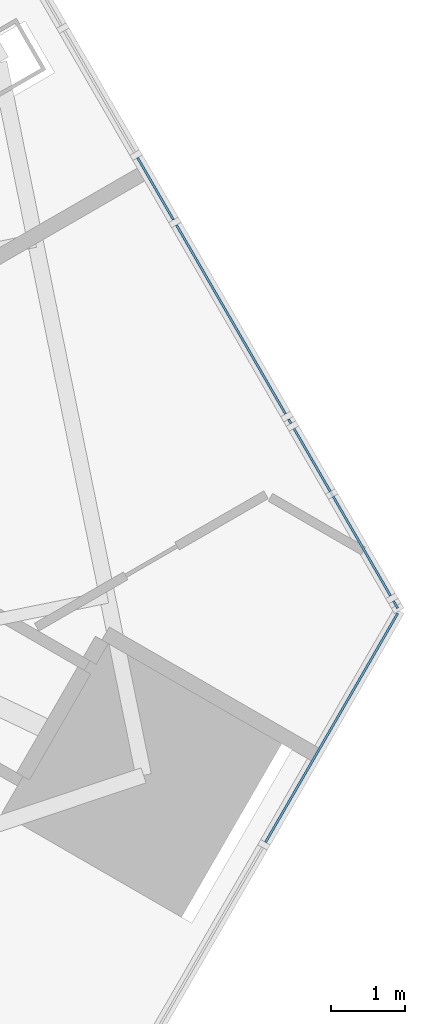
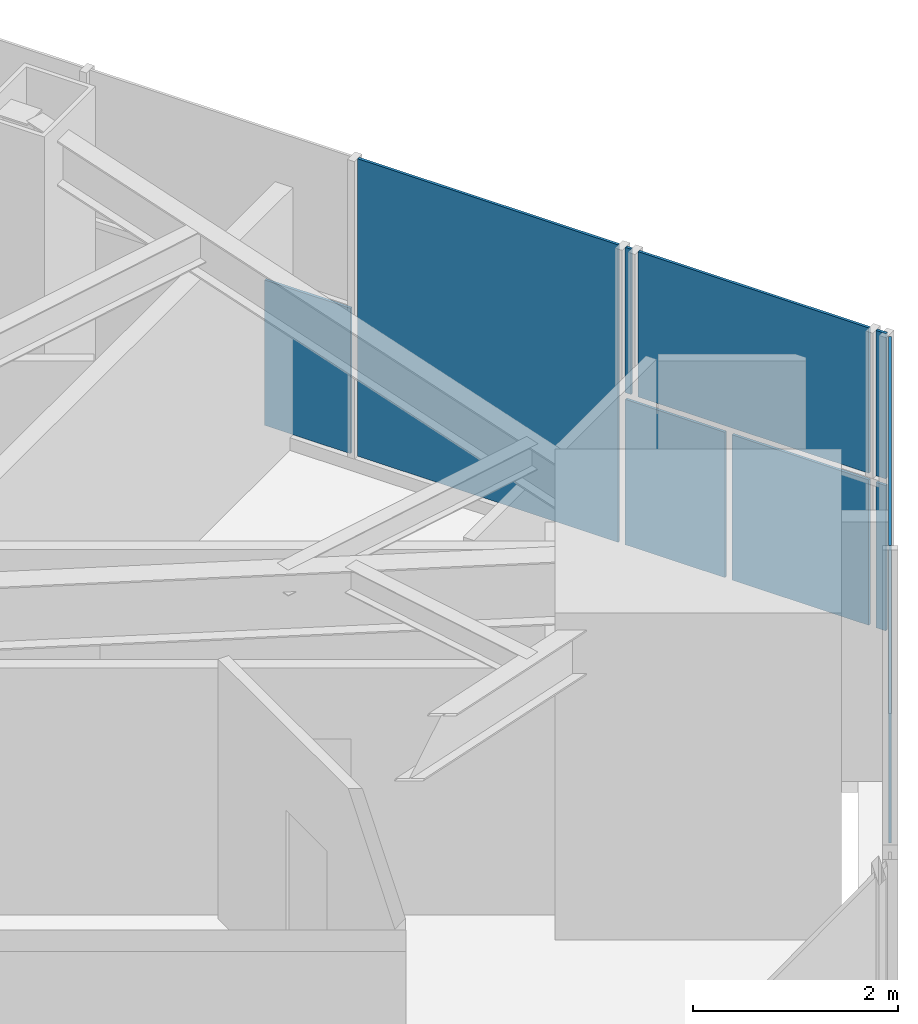
# One storey, part 19 of 35: 9 plates, 2 elements without a shape of their own.
"""IFC4 building model written with IfcOpenShell, lengths in metres."""

from ifc_helpers import new_model, si_unit, direction, frame, origin, place, context, subcontext, project, spatial, polyline, outline, extrude, material, layer, layer_set, type_object, element, aggregate, save


model = new_model("IFC4")

# Units and contexts
model_context = context("Model", 3, precision=1e-05, world=origin(), true_north=direction((0.0, 1.0)))
body_context = subcontext(model_context, "Body", "Model", "MODEL_VIEW")
ifc_project = project(units=[si_unit("LENGTHUNIT", "METRE"), si_unit("AREAUNIT", "SQUARE_METRE"), si_unit("VOLUMEUNIT", "CUBIC_METRE"), si_unit("PLANEANGLEUNIT", "RADIAN"), si_unit("MASSUNIT", "GRAM", prefix="KILO")], contexts=[model_context])

# Site, building, storey
site_placement = place(None, origin())
site = spatial("IfcSite", under=ifc_project, at=site_placement, CompositionType="ELEMENT")
building_placement = place(site_placement, origin())
building = spatial("IfcBuilding", under=site, at=building_placement, Name="Firuza Gate Tower and Library", CompositionType="ELEMENT")
storey_placement = place(building_placement, frame((0.0, 0.0, 159.699951171875)))
storey = spatial("IfcBuildingStorey", under=building, at=storey_placement, Name="L36", CompositionType="ELEMENT", Elevation=159.699951171875)

# Curtain wall, plate
ifc_material_1 = material(Name="Aluminium 6063-T6", Category="aluminium")
ifc_layer_1 = layer(ifc_material_1, 0.14990234375)
ifc_layer_set_1 = layer_set([ifc_layer_1], Name="Corner curtain wall, chamfers")
curtain_wall_type_1 = type_object("IfcCurtainWallType", Name="Corner curtain wall, chamfers", PredefinedType="NOTDEFINED", material=ifc_layer_set_1)
placement = place(storey_placement, origin())
curtain_wall_1 = element("IfcCurtainWall", 1, at=placement, inside=storey, type_object=curtain_wall_type_1, Name="CW4 L36 SE corner", PredefinedType="NOTDEFINED")
ifc_material_2 = material(Name="Fritted glass", Category="glass")
ifc_layer_2 = layer(ifc_material_2, 0.030029296875)
ifc_layer_set_2 = layer_set([ifc_layer_2], Name="Fritted glass unit, corners")
plate_type_1 = type_object("IfcPlateType", Name="Fritted glass unit, corners", PredefinedType="CURTAIN_PANEL", material=ifc_layer_set_2)
plate_1_placement = place(storey_placement, frame((104.059814453125, 58.2685546875, 0.150146484375), z_axis=(0.866016723041, -0.500015035186, 0.0), x_axis=(0.500015035186, 0.866016723041, 0.0)))
plate_1 = element("IfcPlate", 2, at=plate_1_placement, type_object=plate_type_1, Name="Glass unit", PredefinedType="CURTAIN_PANEL", context=body_context, shape_type="SweptSolid", body=[
    extrude(outline(polyline([(0.0, 0.0), (3.5633694106530625, 0.0), (3.5633694106530625, 3.5498046875), (0.0, 3.5498046875), (0.0, 0.0)])), origin(), (0.0, 0.0, -1.0), 0.030029296875),
])
aggregate(curtain_wall_1, [plate_1])

# Curtain wall, plates
ifc_material_3 = material(Name="Aluminium 6063-T6", Category="aluminium")
ifc_layer_3 = layer(ifc_material_3, 0.14990234375)
ifc_layer_set_3 = layer_set([ifc_layer_3], Name="Unitised curtain wall, hotel")
curtain_wall_type_2 = type_object("IfcCurtainWallType", Name="Unitised curtain wall, hotel", PredefinedType="NOTDEFINED", material=ifc_layer_set_3)
curtain_wall_2 = element("IfcCurtainWall", 3, at=placement, inside=storey, type_object=curtain_wall_type_2, Name="CW2 L36 E face", PredefinedType="NOTDEFINED")
ifc_material_4 = material(Name="Fritted glass", Category="glass")
ifc_layer_4 = layer(ifc_material_4, 0.030029296875)
ifc_layer_set_4 = layer_set([ifc_layer_4], Name="Fritted glass unit, hotel")
plate_type_2 = type_object("IfcPlateType", Name="Fritted glass unit, hotel", PredefinedType="CURTAIN_PANEL", material=ifc_layer_set_4)
plate_2_placement = place(storey_placement, frame((105.744873046875, 61.60595703125, 0.150146484375), z_axis=(0.86600656285, 0.500032632036, 0.0), x_axis=(-0.500032632036, 0.86600656285, 0.0)))
plate_2 = element("IfcPlate", 4, at=plate_2_placement, type_object=plate_type_2, Name="Glass unit", PredefinedType="CURTAIN_PANEL", context=body_context, shape_type="SweptSolid", body=[
    extrude(outline(polyline([(0.0, 0.0), (1.5443328043021938, 0.0), (1.5443328043021938, 1.73486328125), (0.0, 1.73486328125), (0.0, 0.0)])), origin(), (0.0, 0.0, -1.0), 0.030029296875),
])
plate_3_placement = place(storey_placement, frame((105.744873046875, 61.60595703125, 1.965087890625), z_axis=(0.866035653305, 0.499982246889, 0.0), x_axis=(-0.499982246889, 0.866035653305, 0.0)))
plate_3 = element("IfcPlate", 5, at=plate_3_placement, type_object=plate_type_2, Name="Glass unit", PredefinedType="CURTAIN_PANEL", context=body_context, shape_type="SweptSolid", body=[
    extrude(outline(polyline([(0.0, 0.0), (2.6031197706996605, 0.0), (2.6031197706996605, 1.73486328125), (0.0, 1.73486328125), (0.0, 0.0)])), origin(), (0.0, 0.0, -1.0), 0.030029296875),
])
ifc_material_5 = material(Name="Glazed ceramic tile")
ifc_layer_5 = layer(ifc_material_5, 0.030029296875)
ifc_layer_set_5 = layer_set([ifc_layer_5], Name="Opaque ceramic panel, hotel")
plate_type_3 = type_object("IfcPlateType", Name="Opaque ceramic panel, hotel", PredefinedType="CURTAIN_PANEL", material=ifc_layer_set_5)
plate_4_placement = place(storey_placement, frame((105.841552734375, 61.438720703125, 0.150146484375), z_axis=(0.865574031608, 0.500780985868, 0.0), x_axis=(-0.500780985868, 0.865574031608, 0.0)))
plate_4 = element("IfcPlate", 6, at=plate_4_placement, type_object=plate_type_3, Name="Opaque ceramic panel", PredefinedType="CURTAIN_PANEL", context=body_context, shape_type="SweptSolid", body=[
    extrude(outline(polyline([(0.0, 0.0), (0.11310458383689945, 0.0), (0.11310458383689945, 1.73486328125), (0.0, 1.73486328125), (0.0, 0.0)])), origin(), (0.0, 0.0, -1.0), 0.030029296875),
])
plate_5_placement = place(storey_placement, frame((104.932861328125, 63.0126953125, 0.150146484375), z_axis=(0.866004950882, 0.500035423793, 0.0), x_axis=(-0.500035423793, 0.866004950882, 0.0)))
plate_5 = element("IfcPlate", 7, at=plate_5_placement, type_object=plate_type_3, Name="Opaque ceramic panel", PredefinedType="CURTAIN_PANEL", context=body_context, shape_type="SweptSolid", body=[
    extrude(outline(polyline([(0.0, 0.0), (1.1254085487704724, 0.0), (1.1254085487704724, 1.73486328125), (0.0, 1.73486328125), (0.0, 0.0)])), origin(), (0.0, 0.0, -1.0), 0.030029296875),
])
plate_6_placement = place(storey_placement, frame((105.841552734375, 61.438720703125, 1.965087890625), z_axis=(0.865574031608, 0.500780985868, 0.0), x_axis=(-0.500780985868, 0.865574031608, 0.0)))
plate_6 = element("IfcPlate", 8, at=plate_6_placement, type_object=plate_type_3, Name="Opaque ceramic panel", PredefinedType="CURTAIN_PANEL", context=body_context, shape_type="SweptSolid", body=[
    extrude(outline(polyline([(0.0, 0.0), (0.11310458383689945, 0.0), (0.11310458383689945, 1.73486328125), (0.0, 1.73486328125), (0.0, 0.0)])), origin(), (0.0, 0.0, -1.0), 0.030029296875),
])
plate_7_placement = place(storey_placement, frame((104.4033203125, 63.9296875, 1.965087890625), z_axis=(0.866429964967, 0.499298623879, 0.0), x_axis=(-0.499298623879, 0.866429964967, 0.0)))
plate_7 = element("IfcPlate", 9, at=plate_7_placement, type_object=plate_type_3, Name="Opaque ceramic panel", PredefinedType="CURTAIN_PANEL", context=body_context, shape_type="SweptSolid", body=[
    extrude(outline(polyline([(0.0, 0.0), (0.06649953236809851, 0.0), (0.06649953236809851, 1.7348632812500004), (0.0, 1.7348632812500004), (0.0, 0.0)])), origin(), (0.0, 0.0, -1.0), 0.030029296875),
])
plate_8_placement = place(storey_placement, frame((104.330078125, 64.056396484375, 0.150146484375), z_axis=(0.866023947468, 0.500002522405, 0.0), x_axis=(-0.500002522405, 0.866023947468, 0.0)))
plate_8 = element("IfcPlate", 10, at=plate_8_placement, type_object=plate_type_3, Name="Opaque ceramic panel", PredefinedType="CURTAIN_PANEL", context=body_context, shape_type="SweptSolid", body=[
    extrude(outline(polyline([(0.0, 0.0), (2.942856247596896, 0.0), (2.942856247596896, 3.5498046875), (0.0, 3.5498046875), (0.0, 0.0)])), origin(), (0.0, 0.0, -1.0), 0.030029296875),
])
plate_9_placement = place(storey_placement, frame((102.818603515625, 66.67431640625, 0.150146484375), z_axis=(0.866013246922, 0.500021055713, 0.0), x_axis=(-0.500021055713, 0.866013246922, 0.0)))
plate_9 = element("IfcPlate", 11, at=plate_9_placement, type_object=plate_type_3, Name="Opaque ceramic panel", PredefinedType="CURTAIN_PANEL", context=body_context, shape_type="SweptSolid", body=[
    extrude(outline(polyline([(0.0, 0.0), (0.9672444242078595, 0.0), (0.9672444242078595, 1.7348632812499998), (0.0, 1.7348632812499998), (0.0, 0.0)])), origin(), (0.0, 0.0, -1.0), 0.030029296875),
])
aggregate(curtain_wall_2, [plate_4, plate_2, plate_5, plate_6, plate_3, plate_7, plate_8, plate_9])

save(model, "model.ifc")
